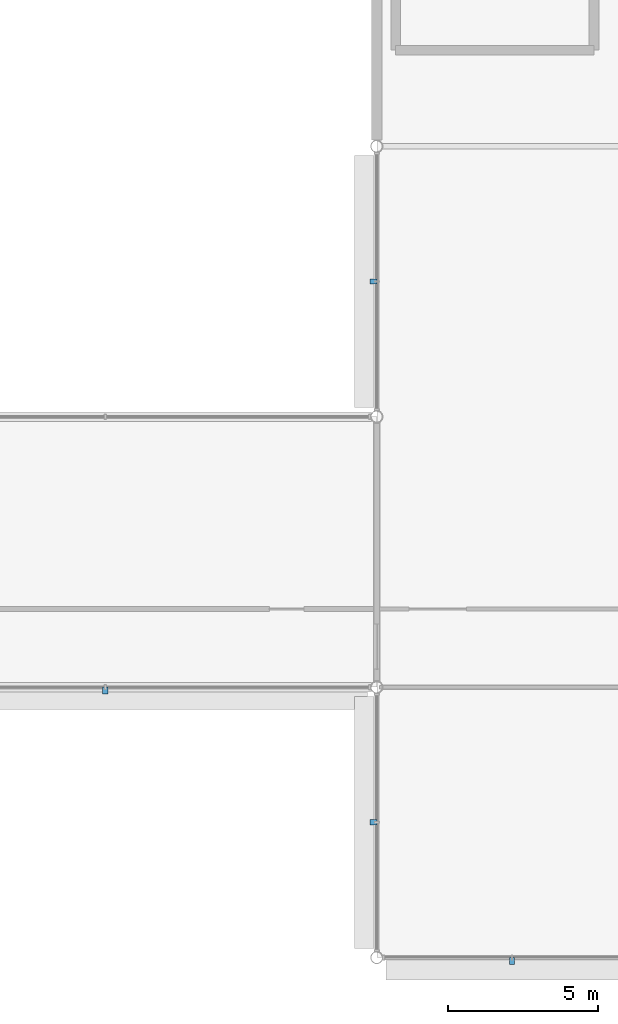
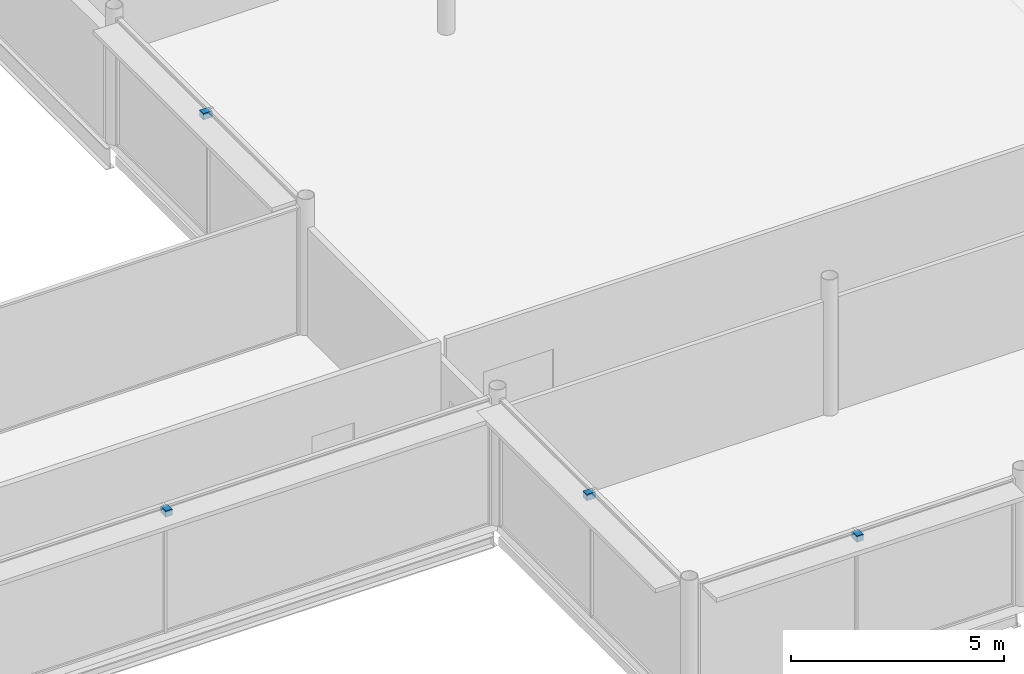
# One storey, part 72 of 96: 4 discrete accessories.
"""IFC4 building model written with IfcOpenShell, lengths in metres."""

from ifc_helpers import new_model, si_unit, direction, frame, origin, origin_2d, place, context, subcontext, project, spatial, rectangle, extrude, material, type_object, element, save


model = new_model("IFC4")

# Units and contexts
model_context = context("Model", 3, precision=1e-05, world=origin(), true_north=direction((0.0, 1.0)))
body_context = subcontext(model_context, "Body", "Model", "MODEL_VIEW")
ifc_project = project(units=[si_unit("LENGTHUNIT", "METRE"), si_unit("AREAUNIT", "SQUARE_METRE"), si_unit("VOLUMEUNIT", "CUBIC_METRE"), si_unit("PLANEANGLEUNIT", "RADIAN"), si_unit("MASSUNIT", "GRAM", prefix="KILO")], contexts=[model_context])

# Site, building, storey
site_placement = place(None, origin())
site = spatial("IfcSite", under=ifc_project, at=site_placement, CompositionType="ELEMENT")
building_placement = place(site_placement, origin())
building = spatial("IfcBuilding", under=site, at=building_placement, Name="Kisiwana Market Hall", CompositionType="ELEMENT")
storey_placement = place(building_placement, frame((0.0, 0.0, 25.5)))
storey = spatial("IfcBuildingStorey", under=building, at=storey_placement, Name="L05", CompositionType="ELEMENT", Elevation=25.5)

# Discrete accessories
ifc_material = material(Name="Steel S355", Category="steel")
discrete_accessory_type = type_object("IfcDiscreteAccessoryType", Name="ACC-BRACKET-STL", PredefinedType="BRACKET", material=ifc_material)
for number, where, z_axis, x_axis, name in (
    (1, (157.5, 8.889892578125, 3.44482421875), (0.0, 0.0, 1.0), (1.0, 0.0, 0.0), "Sunshade steel bracket BRK-078"),
    (2, (143.9609375, 17.889892578125, 3.44482421875), (0.0, 0.0, 1.0), (1.0, 0.0, 0.0), "Sunshade steel bracket BRK-084"),
    (3, (152.889892578125, 13.5, 3.44482421875), (0.0, 0.0, 1.0), (0.0, 1.0, 0.0), "Sunshade steel bracket BRK-096"),
    (4, (152.889892578125, 31.5, 3.44482421875), (0.0, 0.0, 1.0), (0.0, 1.0, 0.0), "Sunshade steel bracket BRK-097"),
):
    element("IfcDiscreteAccessory", number, at=place(storey_placement, frame(where, z_axis=z_axis, x_axis=x_axis)), inside=storey, type_object=discrete_accessory_type, Name=name, PredefinedType="BRACKET", context=body_context, shape_type="SweptSolid", body=[
        extrude(rectangle(XDim=0.179931640625, YDim=0.239990234375, at=origin_2d()), origin(), (0.0, 0.0, 1.0), 0.179931640625),
    ])

save(model, "model.ifc")
